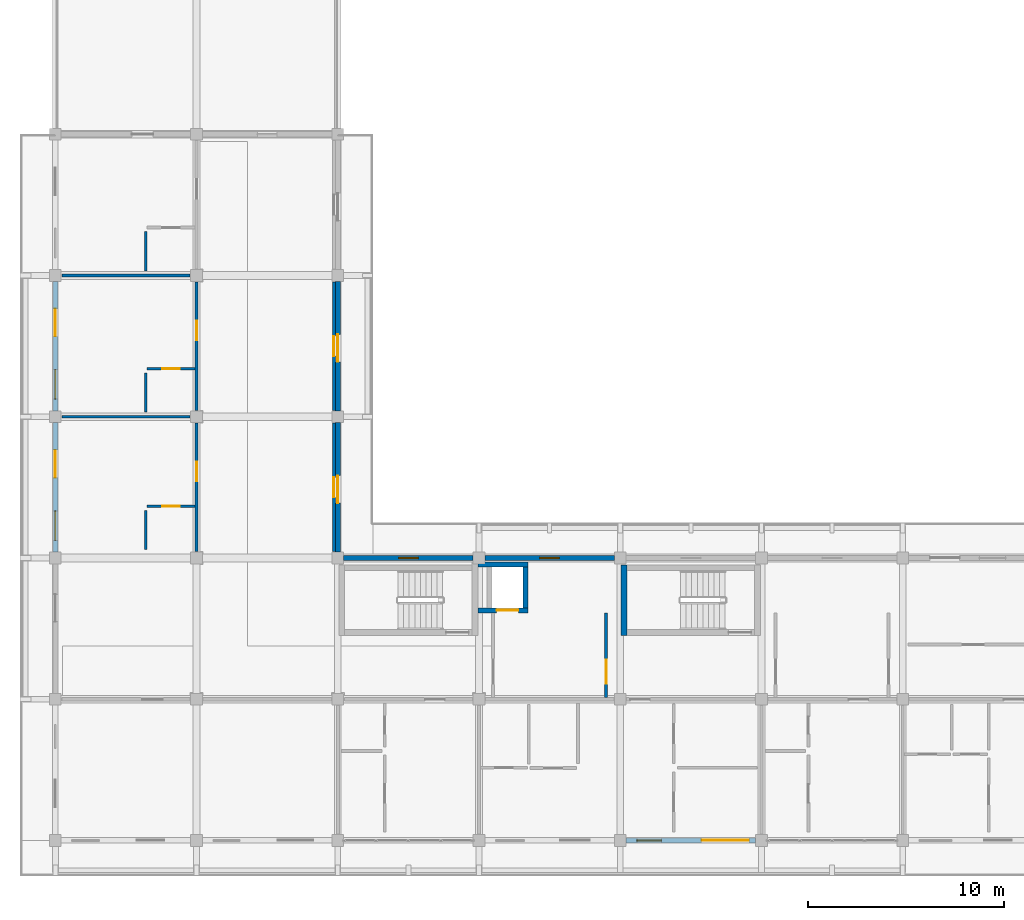
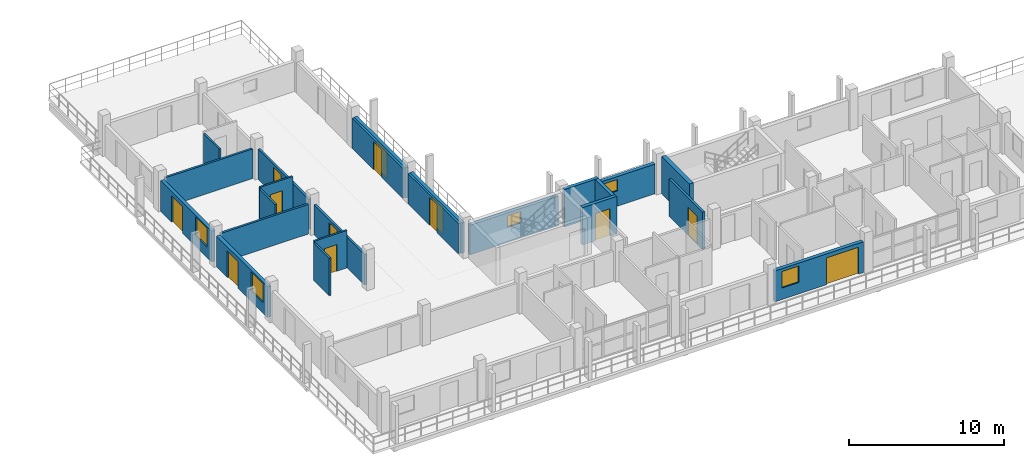
# One storey, part 41 of 78: 23 walls, 13 doors, 5 windows, 18 openings.
"""IFC4 building model written with IfcOpenShell, lengths in metres."""

from ifc_helpers import new_model, si_unit, direction, frame, frame_2d, origin, place, context, subcontext, project, spatial, rectangle, extrude, material, layer, layer_set, type_object, element, fill, save


model = new_model("IFC4")

# Units and contexts
model_context = context("Model", 3, precision=1e-05, world=origin(), true_north=direction((0.0, 1.0)))
body_context = subcontext(model_context, "Body", "Model", "MODEL_VIEW")
ifc_project = project(units=[si_unit("LENGTHUNIT", "METRE"), si_unit("AREAUNIT", "SQUARE_METRE"), si_unit("VOLUMEUNIT", "CUBIC_METRE"), si_unit("PLANEANGLEUNIT", "RADIAN"), si_unit("MASSUNIT", "GRAM", prefix="KILO")], contexts=[model_context])

# Site, building, storey
site_placement = place(None, origin())
site = spatial("IfcSite", under=ifc_project, at=site_placement, CompositionType="ELEMENT")
building_placement = place(site_placement, origin())
building = spatial("IfcBuilding", under=site, at=building_placement, Name="Suanplinth Sawtooth Commons", CompositionType="ELEMENT")
storey_placement = place(building_placement, frame((0.0, 0.0, 15.39990234375)))
storey = spatial("IfcBuildingStorey", under=building, at=storey_placement, Name="L04", CompositionType="ELEMENT", Elevation=15.39990234375)

# Wall
ifc_material_1 = material(Name="Concrete C40/50", Category="concrete")
ifc_layer_1 = layer(ifc_material_1, 0.300048828125, Name="Standard RC stair and lift core wall 300mm")
ifc_layer_set_1 = layer_set([ifc_layer_1], Name="Concrete C40/50")
wall_type_1 = type_object("IfcWallType", Name="W-CR02", PredefinedType="SHEAR", material=ifc_layer_set_1)
wall_1_placement = place(storey_placement, frame((29.0, 10.449951171875, 0.0), z_axis=(0.0, 0.0, 1.0), x_axis=(0.0, 1.0, 0.0)))
element("IfcWall", 1, at=wall_1_placement, inside=storey, type_object=wall_type_1, Name="W-L04-C-D2-STW", PredefinedType="SHEAR", context=body_context, shape_type="SweptSolid", body=[
    extrude(rectangle(XDim=3.60009765625, YDim=0.300048828125, at=frame_2d((1.800048828125, 0.0))), origin(), (0.0, 0.0, 1.0), 2.9501953125),
])

# Wall, openings, door, window
ifc_material_2 = material(Name="Precast concrete C40/50", Category="concrete")
ifc_layer_2 = layer(ifc_material_2, 0.260009765625, Name="Insulated precast courtyard facade wall 260mm")
ifc_layer_set_2 = layer_set([ifc_layer_2], Name="Precast concrete C40/50")
wall_type_2 = type_object("IfcWallType", Name="W-EX02", PredefinedType="ELEMENTEDWALL", material=ifc_layer_set_2)
wall_2_placement = place(storey_placement, frame((0.0, 14.699951171875, 0.0), z_axis=(0.0, 0.0, 1.0), x_axis=(0.0, 1.0, 0.0)))
wall_2 = element("IfcWall", 2, at=wall_2_placement, inside=storey, type_object=wall_type_2, Name="Facade Wall W-L04-D-W-0-2", PredefinedType="ELEMENTEDWALL", context=body_context, shape_type="SweptSolid", body=[
    extrude(rectangle(XDim=6.60009765625, YDim=0.260009765625, at=frame_2d((3.300048828125, 0.0))), origin(), (0.0, 0.0, 1.0), 2.43017578125),
])
opening_1_placement = place(wall_2_placement, frame((3.800048828125, 0.0, 0.0)))
opening_1 = element("IfcOpeningElement", 3, at=opening_1_placement, cuts=wall_2, Name="Opening ED0382", PredefinedType="OPENING", context=body_context, shape_type="SweptSolid", body=[
    extrude(rectangle(XDim=1.39990234375, YDim=2.10009765625, at=frame_2d((0.699951171875, 1.050048828125))), frame((0.0, 0.14501953125, 0.0), z_axis=(0.0, -1.0, 0.0), x_axis=(1.0, 0.0, 0.0)), (0.0, 0.0, 1.0), 0.289794921875),
])
opening_2_placement = place(wall_2_placement, frame((0.60009765625, 0.0, 0.81005859375)))
opening_2 = element("IfcOpeningElement", 4, at=opening_2_placement, cuts=wall_2, Name="Opening W0478", PredefinedType="OPENING", context=body_context, shape_type="SweptSolid", body=[
    extrude(rectangle(XDim=1.5, YDim=1.5, at=frame_2d((0.75, 0.75))), frame((0.0, 0.14501953125, 0.0), z_axis=(0.0, -1.0, 0.0), x_axis=(1.0, 0.0, 0.0)), (0.0, 0.0, 1.0), 0.289794921875),
])
ifc_material_3 = material(Name="Anodized aluminium and low-E glass", Category="aluminium")
door_type_1 = type_object("IfcDoorType", Name="SD-07", OperationType="SLIDING_TO_RIGHT", PredefinedType="DOOR", material=ifc_material_3)
door_1_placement = place(opening_1_placement, frame((1.39990234375, 0.0, 0.0), z_axis=(0.0, 0.0, 1.0), x_axis=(-1.0, 0.0, 0.0)))
door_1 = element("IfcDoor", 5, at=door_1_placement, inside=storey, type_object=door_type_1, Name="Wing Balcony Sliding Door L04-D-2", OperationType="SLIDING_TO_RIGHT", OverallHeight=2.10009765625, OverallWidth=1.39990234375, PredefinedType="DOOR", context=body_context, shape_type="SweptSolid", body=[
    extrude(rectangle(XDim=1.39990234375, YDim=2.10009765625, at=frame_2d((0.699951171875, 1.050048828125))), frame((0.0, 0.02490234375, 0.0), z_axis=(0.0, -1.0, 0.0), x_axis=(1.0, 0.0, 0.0)), (0.0, 0.0, 1.0), 0.050048828125),
])
fill(opening_1, door_1)
ifc_material_4 = material(Name="Thermally broken aluminium and low-E double glazing", Category="aluminium")
window_type_1 = type_object("IfcWindowType", Name="WN-02", PartitioningType="DOUBLE_PANEL_VERTICAL", PredefinedType="WINDOW", material=ifc_material_4)
window_1_placement = place(opening_2_placement, origin())
window_1 = element("IfcWindow", 6, at=window_1_placement, inside=storey, type_object=window_type_1, Name="Wing Window L04-D-2", OverallHeight=1.5, OverallWidth=1.5, PartitioningType="DOUBLE_PANEL_VERTICAL", PredefinedType="WINDOW", context=body_context, shape_type="SweptSolid", body=[
    extrude(rectangle(XDim=1.5, YDim=1.5, at=frame_2d((0.75, 0.75))), frame((0.0, 0.030029296875, 0.0), z_axis=(0.0, -1.0, 0.0), x_axis=(1.0, 0.0, 0.0)), (0.0, 0.0, 1.0), 0.06005859375),
])
fill(opening_2, window_1)

wall_3_placement = place(storey_placement, frame((0.0, 21.89990234375, 0.0), z_axis=(0.0, 0.0, 1.0), x_axis=(0.0, 1.0, 0.0)))
wall_3 = element("IfcWall", 7, at=wall_3_placement, inside=storey, type_object=wall_type_2, Name="Facade Wall W-L04-D-W-0-3", PredefinedType="ELEMENTEDWALL", context=body_context, shape_type="SweptSolid", body=[
    extrude(rectangle(XDim=6.60009765625, YDim=0.260009765625, at=frame_2d((3.300048828125, 0.0))), origin(), (0.0, 0.0, 1.0), 2.43017578125),
])
opening_3_placement = place(wall_3_placement, frame((3.800048828125, 0.0, 0.0)))
opening_3 = element("IfcOpeningElement", 8, at=opening_3_placement, cuts=wall_3, Name="Opening ED0383", PredefinedType="OPENING", context=body_context, shape_type="SweptSolid", body=[
    extrude(rectangle(XDim=1.39990234375, YDim=2.10009765625, at=frame_2d((0.699951171875, 1.050048828125))), frame((0.0, 0.14501953125, 0.0), z_axis=(0.0, -1.0, 0.0), x_axis=(1.0, 0.0, 0.0)), (0.0, 0.0, 1.0), 0.289794921875),
])
opening_4_placement = place(wall_3_placement, frame((0.60009765625, 0.0, 0.81005859375)))
opening_4 = element("IfcOpeningElement", 9, at=opening_4_placement, cuts=wall_3, Name="Opening W0479", PredefinedType="OPENING", context=body_context, shape_type="SweptSolid", body=[
    extrude(rectangle(XDim=1.5, YDim=1.5, at=frame_2d((0.75, 0.75))), frame((0.0, 0.14501953125, 0.0), z_axis=(0.0, -1.0, 0.0), x_axis=(1.0, 0.0, 0.0)), (0.0, 0.0, 1.0), 0.289794921875),
])
door_2_placement = place(opening_3_placement, frame((1.39990234375, 0.0, 0.0), z_axis=(0.0, 0.0, 1.0), x_axis=(-1.0, 0.0, 0.0)))
door_2 = element("IfcDoor", 10, at=door_2_placement, inside=storey, type_object=door_type_1, Name="Wing Balcony Sliding Door L04-D-3", OperationType="SLIDING_TO_RIGHT", OverallHeight=2.10009765625, OverallWidth=1.39990234375, PredefinedType="DOOR", context=body_context, shape_type="SweptSolid", body=[
    extrude(rectangle(XDim=1.39990234375, YDim=2.10009765625, at=frame_2d((0.699951171875, 1.050048828125))), frame((0.0, 0.02490234375, 0.0), z_axis=(0.0, -1.0, 0.0), x_axis=(1.0, 0.0, 0.0)), (0.0, 0.0, 1.0), 0.050048828125),
])
fill(opening_3, door_2)
window_2_placement = place(opening_4_placement, origin())
window_2 = element("IfcWindow", 11, at=window_2_placement, inside=storey, type_object=window_type_1, Name="Wing Window L04-D-3", OverallHeight=1.5, OverallWidth=1.5, PartitioningType="DOUBLE_PANEL_VERTICAL", PredefinedType="WINDOW", context=body_context, shape_type="SweptSolid", body=[
    extrude(rectangle(XDim=1.5, YDim=1.5, at=frame_2d((0.75, 0.75))), frame((0.0, 0.030029296875, 0.0), z_axis=(0.0, -1.0, 0.0), x_axis=(1.0, 0.0, 0.0)), (0.0, 0.0, 1.0), 0.06005859375),
])
fill(opening_4, window_2)

# Wall, opening, door
wall_4_placement = place(storey_placement, frame((14.39990234375, 14.699951171875, 0.0), z_axis=(0.0, 0.0, 1.0), x_axis=(0.0, 1.0, 0.0)))
wall_4 = element("IfcWall", 12, at=wall_4_placement, inside=storey, type_object=wall_type_2, Name="Facade Wall W-L04-D-E-1-2", PredefinedType="ELEMENTEDWALL", context=body_context, shape_type="SweptSolid", body=[
    extrude(rectangle(XDim=6.60009765625, YDim=0.260009765625, at=frame_2d((3.300048828125, 0.0))), origin(), (0.0, 0.0, 1.0), 2.385009765625),
])
opening_5_placement = place(wall_4_placement, frame((2.5, 0.0, 0.0)))
opening_5 = element("IfcOpeningElement", 13, at=opening_5_placement, cuts=wall_4, Name="Opening ED0387", PredefinedType="OPENING", context=body_context, shape_type="SweptSolid", body=[
    extrude(rectangle(XDim=1.39990234375, YDim=2.10009765625, at=frame_2d((0.699951171875, 1.050048828125))), frame((0.0, 0.14501953125, 0.0), z_axis=(0.0, -1.0, 0.0), x_axis=(1.0, 0.0, 0.0)), (0.0, 0.0, 1.0), 0.289794921875),
])
door_3_placement = place(opening_5_placement, frame((1.39990234375, 0.0, 0.0), z_axis=(0.0, 0.0, 1.0), x_axis=(-1.0, 0.0, 0.0)))
door_3 = element("IfcDoor", 14, at=door_3_placement, inside=storey, type_object=door_type_1, Name="Courtyard Veranda Studio Balcony Door L04-D-2", OperationType="SLIDING_TO_RIGHT", OverallHeight=2.10009765625, OverallWidth=1.39990234375, PredefinedType="DOOR", context=body_context, shape_type="SweptSolid", body=[
    extrude(rectangle(XDim=1.39990234375, YDim=2.10009765625, at=frame_2d((0.699951171875, 1.050048828125))), frame((0.0, 0.02490234375, 0.0), z_axis=(0.0, -1.0, 0.0), x_axis=(1.0, 0.0, 0.0)), (0.0, 0.0, 1.0), 0.050048828125),
])
fill(opening_5, door_3)

wall_5_placement = place(storey_placement, frame((14.39990234375, 21.89990234375, 0.0), z_axis=(0.0, 0.0, 1.0), x_axis=(0.0, 1.0, 0.0)))
wall_5 = element("IfcWall", 15, at=wall_5_placement, inside=storey, type_object=wall_type_2, Name="Facade Wall W-L04-D-E-1-3", PredefinedType="ELEMENTEDWALL", context=body_context, shape_type="SweptSolid", body=[
    extrude(rectangle(XDim=6.60009765625, YDim=0.260009765625, at=frame_2d((3.300048828125, 0.0))), origin(), (0.0, 0.0, 1.0), 2.385009765625),
])
opening_6_placement = place(wall_5_placement, frame((2.5, 0.0, 0.0)))
opening_6 = element("IfcOpeningElement", 16, at=opening_6_placement, cuts=wall_5, Name="Opening ED0388", PredefinedType="OPENING", context=body_context, shape_type="SweptSolid", body=[
    extrude(rectangle(XDim=1.39990234375, YDim=2.10009765625, at=frame_2d((0.699951171875, 1.050048828125))), frame((0.0, 0.14501953125, 0.0), z_axis=(0.0, -1.0, 0.0), x_axis=(1.0, 0.0, 0.0)), (0.0, 0.0, 1.0), 0.289794921875),
])
door_4_placement = place(opening_6_placement, frame((1.39990234375, 0.0, 0.0), z_axis=(0.0, 0.0, 1.0), x_axis=(-1.0, 0.0, 0.0)))
door_4 = element("IfcDoor", 17, at=door_4_placement, inside=storey, type_object=door_type_1, Name="Courtyard Veranda Studio Balcony Door L04-D-3", OperationType="SLIDING_TO_RIGHT", OverallHeight=2.10009765625, OverallWidth=1.39990234375, PredefinedType="DOOR", context=body_context, shape_type="SweptSolid", body=[
    extrude(rectangle(XDim=1.39990234375, YDim=2.10009765625, at=frame_2d((0.699951171875, 1.050048828125))), frame((0.0, 0.02490234375, 0.0), z_axis=(0.0, -1.0, 0.0), x_axis=(1.0, 0.0, 0.0)), (0.0, 0.0, 1.0), 0.050048828125),
])
fill(opening_6, door_4)

# Wall, opening, window
wall_6_placement = place(storey_placement, frame((14.699951171875, 14.39990234375, 0.0), z_axis=(0.0, 0.0, 1.0), x_axis=(1.0, 0.0, 0.0)))
wall_6 = element("IfcWall", 18, at=wall_6_placement, inside=storey, type_object=wall_type_2, Name="Facade Wall W-L04-D-N-2-1", PredefinedType="ELEMENTEDWALL", context=body_context, shape_type="SweptSolid", body=[
    extrude(rectangle(XDim=6.60009765625, YDim=0.260009765625, at=frame_2d((3.300048828125, 0.0))), origin(), (0.0, 0.0, 1.0), 2.335205078125),
])
opening_7_placement = place(wall_6_placement, frame((2.800048828125, 0.0, 1.199951171875)))
opening_7 = element("IfcOpeningElement", 19, at=opening_7_placement, cuts=wall_6, Name="Opening W0483", PredefinedType="OPENING", context=body_context, shape_type="SweptSolid", body=[
    extrude(rectangle(XDim=1.0, YDim=0.89990234375, at=frame_2d((0.5, 0.449951171875))), frame((0.0, 0.14501953125, 0.0), z_axis=(0.0, -1.0, 0.0), x_axis=(1.0, 0.0, 0.0)), (0.0, 0.0, 1.0), 0.289794921875),
])
window_type_2 = type_object("IfcWindowType", Name="WN-12", PartitioningType="SINGLE_PANEL", PredefinedType="WINDOW", material=ifc_material_4)
window_3_placement = place(opening_7_placement, origin())
window_3 = element("IfcWindow", 20, at=window_3_placement, inside=storey, type_object=window_type_2, Name="Core Daylight Window L04-D-2-1", OverallHeight=0.89990234375, OverallWidth=1.0, PartitioningType="SINGLE_PANEL", PredefinedType="WINDOW", context=body_context, shape_type="SweptSolid", body=[
    extrude(rectangle(XDim=1.0, YDim=0.89990234375, at=frame_2d((0.5, 0.449951171875))), frame((0.0, 0.030029296875, 0.0), z_axis=(0.0, -1.0, 0.0), x_axis=(1.0, 0.0, 0.0)), (0.0, 0.0, 1.0), 0.06005859375),
])
fill(opening_7, window_3)

wall_7_placement = place(storey_placement, frame((21.89990234375, 14.39990234375, 0.0), z_axis=(0.0, 0.0, 1.0), x_axis=(1.0, 0.0, 0.0)))
wall_7 = element("IfcWall", 21, at=wall_7_placement, inside=storey, type_object=wall_type_2, Name="Facade Wall W-L04-D-N-3-1", PredefinedType="ELEMENTEDWALL", context=body_context, shape_type="SweptSolid", body=[
    extrude(rectangle(XDim=6.60009765625, YDim=0.260009765625, at=frame_2d((3.300048828125, 0.0))), origin(), (0.0, 0.0, 1.0), 2.335205078125),
])
opening_8_placement = place(wall_7_placement, frame((2.800048828125, 0.0, 1.199951171875)))
opening_8 = element("IfcOpeningElement", 22, at=opening_8_placement, cuts=wall_7, Name="Opening W0485", PredefinedType="OPENING", context=body_context, shape_type="SweptSolid", body=[
    extrude(rectangle(XDim=1.0, YDim=0.89990234375, at=frame_2d((0.5, 0.449951171875))), frame((0.0, 0.14501953125, 0.0), z_axis=(0.0, -1.0, 0.0), x_axis=(1.0, 0.0, 0.0)), (0.0, 0.0, 1.0), 0.289794921875),
])
window_4_placement = place(opening_8_placement, origin())
window_4 = element("IfcWindow", 23, at=window_4_placement, inside=storey, type_object=window_type_2, Name="Core Daylight Window L04-D-3-1", OverallHeight=0.89990234375, OverallWidth=1.0, PartitioningType="SINGLE_PANEL", PredefinedType="WINDOW", context=body_context, shape_type="SweptSolid", body=[
    extrude(rectangle(XDim=1.0, YDim=0.89990234375, at=frame_2d((0.5, 0.449951171875))), frame((0.0, 0.030029296875, 0.0), z_axis=(0.0, -1.0, 0.0), x_axis=(1.0, 0.0, 0.0)), (0.0, 0.0, 1.0), 0.06005859375),
])
fill(opening_8, window_4)

# Wall, openings, door, window
wall_8_placement = place(storey_placement, frame((29.10009765625, 0.0, 0.0), z_axis=(0.0, 0.0, 1.0), x_axis=(1.0, 0.0, 0.0)))
wall_8 = element("IfcWall", 24, at=wall_8_placement, inside=storey, type_object=wall_type_2, Name="Facade Wall W-L04-D-S-4-0", PredefinedType="ELEMENTEDWALL", context=body_context, shape_type="SweptSolid", body=[
    extrude(rectangle(XDim=6.599853515625, YDim=0.260009765625, at=frame_2d((3.2998046875, 0.0))), origin(), (0.0, 0.0, 1.0), 2.43017578125),
])
opening_9_placement = place(wall_8_placement, frame((3.85009765625, 0.0, 0.0)))
opening_9 = element("IfcOpeningElement", 25, at=opening_9_placement, cuts=wall_8, Name="Opening ED0391", PredefinedType="OPENING", context=body_context, shape_type="SweptSolid", body=[
    extrude(rectangle(XDim=2.39990234375, YDim=2.1201171875, at=frame_2d((1.199951171875, 1.06005859375))), frame((0.0, 0.14501953125, 0.0), z_axis=(0.0, -1.0, 0.0), x_axis=(1.0, 0.0, 0.0)), (0.0, 0.0, 1.0), 0.289794921875),
])
opening_10_placement = place(wall_8_placement, frame((0.550048828125, 0.0, 0.89990234375)))
opening_10 = element("IfcOpeningElement", 26, at=opening_10_placement, cuts=wall_8, Name="Opening W0486", PredefinedType="OPENING", context=body_context, shape_type="SweptSolid", body=[
    extrude(rectangle(XDim=1.25, YDim=1.300048828125, at=frame_2d((0.625, 0.64990234375))), frame((0.0, 0.14501953125, 0.0), z_axis=(0.0, -1.0, 0.0), x_axis=(1.0, 0.0, 0.0)), (0.0, 0.0, 1.0), 0.289794921875),
])
door_type_2 = type_object("IfcDoorType", Name="SD-04", OperationType="DOUBLE_DOOR_SLIDING", PredefinedType="DOOR", material=ifc_material_3)
door_5_placement = place(opening_9_placement, frame((2.39990234375, 0.0, 0.0), z_axis=(0.0, 0.0, 1.0), x_axis=(-1.0, 0.0, 0.0)))
door_5 = element("IfcDoor", 27, at=door_5_placement, inside=storey, type_object=door_type_2, Name="Balcony Sliding Door L04-D-4", OperationType="DOUBLE_DOOR_SLIDING", OverallHeight=2.1201171875, OverallWidth=2.39990234375, PredefinedType="DOOR", context=body_context, shape_type="SweptSolid", body=[
    extrude(rectangle(XDim=2.39990234375, YDim=2.1201171875, at=frame_2d((1.199951171875, 1.06005859375))), frame((0.0, 0.02490234375, 0.0), z_axis=(0.0, -1.0, 0.0), x_axis=(1.0, 0.0, 0.0)), (0.0, 0.0, 1.0), 0.050048828125),
])
fill(opening_9, door_5)
window_type_3 = type_object("IfcWindowType", Name="WN-17", PartitioningType="SINGLE_PANEL", PredefinedType="WINDOW", material=ifc_material_4)
window_5_placement = place(opening_10_placement, origin())
window_5 = element("IfcWindow", 28, at=window_5_placement, inside=storey, type_object=window_type_3, Name="Apartment Window L04-D-4", OverallHeight=1.300048828125, OverallWidth=1.25, PartitioningType="SINGLE_PANEL", PredefinedType="WINDOW", context=body_context, shape_type="SweptSolid", body=[
    extrude(rectangle(XDim=1.25, YDim=1.300048828125, at=frame_2d((0.625, 0.64990234375))), frame((0.0, 0.030029296875, 0.0), z_axis=(0.0, -1.0, 0.0), x_axis=(1.0, 0.0, 0.0)), (0.0, 0.0, 1.0), 0.06005859375),
])
fill(opening_10, window_5)

# Wall, opening, door
ifc_layer_3 = layer(ifc_material_2, 0.159912109375, Name="Fire-rated corridor and lobby wall 160mm")
ifc_layer_set_3 = layer_set([ifc_layer_3], Name="Precast concrete C40/50")
wall_type_3 = type_object("IfcWallType", Name="W-FW01", PredefinedType="PARTITIONING", material=ifc_layer_set_3)
wall_9_placement = place(storey_placement, frame((28.080078125, 7.280029296875, 0.0), z_axis=(0.0, 0.0, 1.0), x_axis=(0.0, 1.0, 0.0)))
wall_9 = element("IfcWall", 29, at=wall_9_placement, inside=storey, type_object=wall_type_3, Name="W-L04-C-D1-LOB-E", PredefinedType="PARTITIONING", context=body_context, shape_type="SweptSolid", body=[
    extrude(rectangle(XDim=4.320068359375, YDim=0.159912109375, at=frame_2d((2.16015625, 0.0))), origin(), (0.0, 0.0, 1.0), 2.9501953125),
])
opening_11_placement = place(wall_9_placement, frame((0.719970703125, 0.0, 0.0)))
opening_11 = element("IfcOpeningElement", 30, at=opening_11_placement, cuts=wall_9, Name="Opening FD0379", PredefinedType="OPENING", context=body_context, shape_type="SweptSolid", body=[
    extrude(rectangle(XDim=1.199951171875, YDim=2.199951171875, at=frame_2d((0.60009765625, 1.10009765625))), frame((0.0, 0.0947265625, 0.0), z_axis=(0.0, -1.0, 0.0), x_axis=(1.0, 0.0, 0.0)), (0.0, 0.0, 1.0), 0.189697265625),
])
ifc_material_5 = material(Name="Teak hardwood fire-rated door assembly", Category="wood")
door_type_3 = type_object("IfcDoorType", Name="FD-02", OperationType="NOTDEFINED", PredefinedType="DOOR", material=ifc_material_5)
door_6_placement = place(opening_11_placement, frame((1.199951171875, 0.0, 0.0), z_axis=(0.0, 0.0, 1.0), x_axis=(-1.0, 0.0, 0.0)))
door_6 = element("IfcDoor", 31, at=door_6_placement, inside=storey, type_object=door_type_3, Name="Lobby Fire Door FD0379", OperationType="SINGLE_SWING_LEFT", OverallHeight=2.199951171875, OverallWidth=1.199951171875, PredefinedType="DOOR", context=body_context, shape_type="SweptSolid", body=[
    extrude(rectangle(XDim=1.199951171875, YDim=2.199951171875, at=frame_2d((0.60009765625, 1.10009765625))), frame((0.0, 0.02490234375, 0.0), z_axis=(0.0, -1.0, 0.0), x_axis=(1.0, 0.0, 0.0)), (0.0, 0.0, 1.0), 0.050048828125),
])
fill(opening_11, door_6)

wall_10_placement = place(storey_placement, frame((7.199951171875, 14.72998046875, 0.0), z_axis=(0.0, 0.0, 1.0), x_axis=(0.0, 1.0, 0.0)))
wall_10 = element("IfcWall", 32, at=wall_10_placement, inside=storey, type_object=wall_type_3, Name="W-D-L04-L01-COR", PredefinedType="PARTITIONING", context=body_context, shape_type="SweptSolid", body=[
    extrude(rectangle(XDim=6.5400390625, YDim=0.159912109375, at=frame_2d((3.27001953125, 0.0))), origin(), (0.0, 0.0, 1.0), 2.385009765625),
])
opening_12_placement = place(wall_10_placement, frame((3.570068359375, 0.0, 0.0)))
opening_12 = element("IfcOpeningElement", 33, at=opening_12_placement, cuts=wall_10, Name="Opening FD1188", PredefinedType="OPENING", context=body_context, shape_type="SweptSolid", body=[
    extrude(rectangle(XDim=1.0, YDim=2.14990234375, at=frame_2d((0.5, 1.074951171875))), frame((0.0, 0.0947265625, 0.0), z_axis=(0.0, -1.0, 0.0), x_axis=(1.0, 0.0, 0.0)), (0.0, 0.0, 1.0), 0.189697265625),
])
door_type_4 = type_object("IfcDoorType", Name="FD-03", OperationType="NOTDEFINED", PredefinedType="DOOR", material=ifc_material_5)
door_7_placement = place(opening_12_placement, origin())
door_7 = element("IfcDoor", 34, at=door_7_placement, inside=storey, type_object=door_type_4, Name="Wing Unit Entrance Door FD1188", OperationType="SINGLE_SWING_RIGHT", OverallHeight=2.14990234375, OverallWidth=1.0, PredefinedType="DOOR", context=body_context, shape_type="SweptSolid", body=[
    extrude(rectangle(XDim=1.0, YDim=2.14990234375, at=frame_2d((0.5, 1.074951171875))), frame((0.0, 0.02490234375, 0.0), z_axis=(0.0, -1.0, 0.0), x_axis=(1.0, 0.0, 0.0)), (0.0, 0.0, 1.0), 0.050048828125),
])
fill(opening_12, door_7)

wall_11_placement = place(storey_placement, frame((14.199951171875, 14.72998046875, 0.0), z_axis=(0.0, 0.0, 1.0), x_axis=(0.0, 1.0, 0.0)))
wall_11 = element("IfcWall", 35, at=wall_11_placement, inside=storey, type_object=wall_type_3, Name="W-D-L04-LEGCOURTROOM-66-COR", PredefinedType="PARTITIONING", context=body_context, shape_type="SweptSolid", body=[
    extrude(rectangle(XDim=6.5400390625, YDim=0.159912109375, at=frame_2d((3.27001953125, 0.0))), origin(), (0.0, 0.0, 1.0), 2.385009765625),
])
opening_13_placement = place(wall_11_placement, frame((2.760009765625, 0.0, 0.0)))
opening_13 = element("IfcOpeningElement", 36, at=opening_13_placement, cuts=wall_11, Name="Opening D1190", PredefinedType="OPENING", context=body_context, shape_type="SweptSolid", body=[
    extrude(rectangle(XDim=1.02001953125, YDim=2.179931640625, at=frame_2d((0.510009765625, 1.08984375))), frame((0.0, 0.0947265625, 0.0), z_axis=(0.0, -1.0, 0.0), x_axis=(1.0, 0.0, 0.0)), (0.0, 0.0, 1.0), 0.189697265625),
])
ifc_material_6 = material(Name="Teak hardwood", Category="wood")
door_type_5 = type_object("IfcDoorType", Name="D-16", OperationType="NOTDEFINED", PredefinedType="DOOR", material=ifc_material_6)
door_8_placement = place(opening_13_placement, frame((1.02001953125, 0.0, 0.0), z_axis=(0.0, 0.0, 1.0), x_axis=(-1.0, 0.0, 0.0)))
door_8 = element("IfcDoor", 37, at=door_8_placement, inside=storey, type_object=door_type_5, Name="Veranda Studio Door D1190", OperationType="SINGLE_SWING_RIGHT", OverallHeight=2.179931640625, OverallWidth=1.02001953125, PredefinedType="DOOR", context=body_context, shape_type="SweptSolid", body=[
    extrude(rectangle(XDim=1.02001953125, YDim=2.179931640625, at=frame_2d((0.510009765625, 1.08984375))), frame((0.0, 0.02490234375, 0.0), z_axis=(0.0, -1.0, 0.0), x_axis=(1.0, 0.0, 0.0)), (0.0, 0.0, 1.0), 0.050048828125),
])
fill(opening_13, door_8)

wall_12_placement = place(storey_placement, frame((7.199951171875, 21.929931640625, 0.0), z_axis=(0.0, 0.0, 1.0), x_axis=(0.0, 1.0, 0.0)))
wall_12 = element("IfcWall", 38, at=wall_12_placement, inside=storey, type_object=wall_type_3, Name="W-D-L04-L02-COR", PredefinedType="PARTITIONING", context=body_context, shape_type="SweptSolid", body=[
    extrude(rectangle(XDim=6.5400390625, YDim=0.159912109375, at=frame_2d((3.27001953125, 0.0))), origin(), (0.0, 0.0, 1.0), 2.385009765625),
])
opening_14_placement = place(wall_12_placement, frame((3.570068359375, 0.0, 0.0)))
opening_14 = element("IfcOpeningElement", 39, at=opening_14_placement, cuts=wall_12, Name="Opening FD1191", PredefinedType="OPENING", context=body_context, shape_type="SweptSolid", body=[
    extrude(rectangle(XDim=1.0, YDim=2.14990234375, at=frame_2d((0.5, 1.074951171875))), frame((0.0, 0.0947265625, 0.0), z_axis=(0.0, -1.0, 0.0), x_axis=(1.0, 0.0, 0.0)), (0.0, 0.0, 1.0), 0.189697265625),
])
door_9_placement = place(opening_14_placement, origin())
door_9 = element("IfcDoor", 40, at=door_9_placement, inside=storey, type_object=door_type_4, Name="Wing Unit Entrance Door FD1191", OperationType="SINGLE_SWING_LEFT", OverallHeight=2.14990234375, OverallWidth=1.0, PredefinedType="DOOR", context=body_context, shape_type="SweptSolid", body=[
    extrude(rectangle(XDim=1.0, YDim=2.14990234375, at=frame_2d((0.5, 1.074951171875))), frame((0.0, 0.02490234375, 0.0), z_axis=(0.0, -1.0, 0.0), x_axis=(1.0, 0.0, 0.0)), (0.0, 0.0, 1.0), 0.050048828125),
])
fill(opening_14, door_9)

wall_13_placement = place(storey_placement, frame((14.199951171875, 21.929931640625, 0.0), z_axis=(0.0, 0.0, 1.0), x_axis=(0.0, 1.0, 0.0)))
wall_13 = element("IfcWall", 41, at=wall_13_placement, inside=storey, type_object=wall_type_3, Name="W-D-L04-LEGCOURTROOM-68-COR", PredefinedType="PARTITIONING", context=body_context, shape_type="SweptSolid", body=[
    extrude(rectangle(XDim=6.5400390625, YDim=0.159912109375, at=frame_2d((3.27001953125, 0.0))), origin(), (0.0, 0.0, 1.0), 2.385009765625),
])
opening_15_placement = place(wall_13_placement, frame((2.760009765625, 0.0, 0.0)))
opening_15 = element("IfcOpeningElement", 42, at=opening_15_placement, cuts=wall_13, Name="Opening D1193", PredefinedType="OPENING", context=body_context, shape_type="SweptSolid", body=[
    extrude(rectangle(XDim=1.02001953125, YDim=2.179931640625, at=frame_2d((0.510009765625, 1.08984375))), frame((0.0, 0.0947265625, 0.0), z_axis=(0.0, -1.0, 0.0), x_axis=(1.0, 0.0, 0.0)), (0.0, 0.0, 1.0), 0.189697265625),
])
door_10_placement = place(opening_15_placement, frame((1.02001953125, 0.0, 0.0), z_axis=(0.0, 0.0, 1.0), x_axis=(-1.0, 0.0, 0.0)))
door_10 = element("IfcDoor", 43, at=door_10_placement, inside=storey, type_object=door_type_5, Name="Veranda Studio Door D1193", OperationType="SINGLE_SWING_LEFT", OverallHeight=2.179931640625, OverallWidth=1.02001953125, PredefinedType="DOOR", context=body_context, shape_type="SweptSolid", body=[
    extrude(rectangle(XDim=1.02001953125, YDim=2.179931640625, at=frame_2d((0.510009765625, 1.08984375))), frame((0.0, 0.02490234375, 0.0), z_axis=(0.0, -1.0, 0.0), x_axis=(1.0, 0.0, 0.0)), (0.0, 0.0, 1.0), 0.050048828125),
])
fill(opening_15, door_10)

# Walls
ifc_layer_4 = layer(ifc_material_2, 0.14990234375, Name="Acoustic precast party demising wall 150mm")
ifc_layer_set_4 = layer_set([ifc_layer_4], Name="Precast concrete C40/50")
wall_type_4 = type_object("IfcWallType", Name="W-FW02", PredefinedType="PARTITIONING", material=ifc_layer_set_4)
for number, where, z_axis, x_axis, name in (
    (44, (0.330078125, 21.60009765625, 0.0), (0.0, 0.0, 1.0), (1.0, 0.0, 0.0), "W-D-L04-L01-PTY"),
    (45, (0.330078125, 28.800048828125, 0.0), (0.0, 0.0, 1.0), (1.0, 0.0, 0.0), "W-D-L04-L02-PTY"),
):
    element("IfcWall", number, at=place(storey_placement, frame(where, z_axis=z_axis, x_axis=x_axis)), inside=storey, type_object=wall_type_4, Name=name, PredefinedType="PARTITIONING", context=body_context, shape_type="SweptSolid", body=[
        extrude(rectangle(XDim=6.5400390625, YDim=0.14990234375, at=frame_2d((3.27001953125, 0.0))), origin(), (0.0, 0.0, 1.0), 2.335205078125),
    ])

# Wall, opening, door
ifc_material_7 = material(Name="Gypsum plasterboard on steel stud", Category="steel")
ifc_layer_5 = layer(ifc_material_7, 0.1298828125, Name="Moisture-resistant bathroom partition 130mm")
ifc_layer_set_5 = layer_set([ifc_layer_5], Name="Gypsum plasterboard on steel stud")
wall_type_5 = type_object("IfcWallType", Name="W-PT02", PredefinedType="PARTITIONING", material=ifc_layer_set_5)
wall_14_placement = place(storey_placement, frame((4.669921875, 17.044921875, 0.0), z_axis=(0.0, 0.0, 1.0), x_axis=(1.0, 0.0, 0.0)))
wall_14 = element("IfcWall", 46, at=wall_14_placement, inside=storey, type_object=wall_type_5, Name="W-D-L04-L01-BTH1", PredefinedType="PARTITIONING", context=body_context, shape_type="SweptSolid", body=[
    extrude(rectangle(XDim=2.4501953125, YDim=0.1298828125, at=frame_2d((1.22509765625, 0.0))), origin(), (0.0, 0.0, 1.0), 2.9501953125),
])
opening_16_placement = place(wall_14_placement, frame((0.77490234375, 0.0, 0.0)))
opening_16 = element("IfcOpeningElement", 47, at=opening_16_placement, cuts=wall_14, Name="Opening D1189", PredefinedType="OPENING", context=body_context, shape_type="SweptSolid", body=[
    extrude(rectangle(XDim=0.89990234375, YDim=2.10009765625, at=frame_2d((0.449951171875, 1.050048828125))), frame((0.0, 0.079833984375, 0.0), z_axis=(0.0, -1.0, 0.0), x_axis=(1.0, 0.0, 0.0)), (0.0, 0.0, 1.0), 0.15966796875),
])
door_type_6 = type_object("IfcDoorType", Name="D-01", OperationType="NOTDEFINED", PredefinedType="DOOR", material=ifc_material_6)
door_11_placement = place(opening_16_placement, frame((0.89990234375, 0.0, 0.0), z_axis=(0.0, 0.0, 1.0), x_axis=(-1.0, 0.0, 0.0)))
door_11 = element("IfcDoor", 48, at=door_11_placement, inside=storey, type_object=door_type_6, Name="Bathroom Door D1189", OperationType="SINGLE_SWING_LEFT", OverallHeight=2.10009765625, OverallWidth=0.89990234375, PredefinedType="DOOR", context=body_context, shape_type="SweptSolid", body=[
    extrude(rectangle(XDim=0.89990234375, YDim=2.10009765625, at=frame_2d((0.449951171875, 1.050048828125))), frame((0.0, 0.02490234375, 0.0), z_axis=(0.0, -1.0, 0.0), x_axis=(1.0, 0.0, 0.0)), (0.0, 0.0, 1.0), 0.050048828125),
])
fill(opening_16, door_11)

# Wall
wall_15_placement = place(storey_placement, frame((4.60498046875, 14.830078125, 0.0), z_axis=(0.0, 0.0, 1.0), x_axis=(0.0, 1.0, 0.0)))
element("IfcWall", 49, at=wall_15_placement, inside=storey, type_object=wall_type_5, Name="W-D-L04-L01-BTH2", PredefinedType="PARTITIONING", context=body_context, shape_type="SweptSolid", body=[
    extrude(rectangle(XDim=2.0, YDim=0.1298828125, at=frame_2d((1.0, 0.0))), origin(), (0.0, 0.0, 1.0), 2.9501953125),
])

# Wall, opening, door
wall_16_placement = place(storey_placement, frame((4.669921875, 24.044921875, 0.0), z_axis=(0.0, 0.0, 1.0), x_axis=(1.0, 0.0, 0.0)))
wall_16 = element("IfcWall", 50, at=wall_16_placement, inside=storey, type_object=wall_type_5, Name="W-D-L04-L02-BTH1", PredefinedType="PARTITIONING", context=body_context, shape_type="SweptSolid", body=[
    extrude(rectangle(XDim=2.4501953125, YDim=0.1298828125, at=frame_2d((1.22509765625, 0.0))), origin(), (0.0, 0.0, 1.0), 2.9501953125),
])
opening_17_placement = place(wall_16_placement, frame((0.77490234375, 0.0, 0.0)))
opening_17 = element("IfcOpeningElement", 51, at=opening_17_placement, cuts=wall_16, Name="Opening D1192", PredefinedType="OPENING", context=body_context, shape_type="SweptSolid", body=[
    extrude(rectangle(XDim=0.89990234375, YDim=2.10009765625, at=frame_2d((0.449951171875, 1.050048828125))), frame((0.0, 0.079833984375, 0.0), z_axis=(0.0, -1.0, 0.0), x_axis=(1.0, 0.0, 0.0)), (0.0, 0.0, 1.0), 0.15966796875),
])
door_12_placement = place(opening_17_placement, frame((0.89990234375, 0.0, 0.0), z_axis=(0.0, 0.0, 1.0), x_axis=(-1.0, 0.0, 0.0)))
door_12 = element("IfcDoor", 52, at=door_12_placement, inside=storey, type_object=door_type_6, Name="Bathroom Door D1192", OperationType="SINGLE_SWING_RIGHT", OverallHeight=2.10009765625, OverallWidth=0.89990234375, PredefinedType="DOOR", context=body_context, shape_type="SweptSolid", body=[
    extrude(rectangle(XDim=0.89990234375, YDim=2.10009765625, at=frame_2d((0.449951171875, 1.050048828125))), frame((0.0, 0.02490234375, 0.0), z_axis=(0.0, -1.0, 0.0), x_axis=(1.0, 0.0, 0.0)), (0.0, 0.0, 1.0), 0.050048828125),
])
fill(opening_17, door_12)

# Walls
for number, where, z_axis, x_axis, name in (
    (53, (4.60498046875, 21.830078125, 0.0), (0.0, 0.0, 1.0), (0.0, 1.0, 0.0), "W-D-L04-L02-BTH2"),
    (54, (4.60498046875, 29.030029296875, 0.0), (0.0, 0.0, 1.0), (0.0, 1.0, 0.0), "W-D-L04-L03-BTH2"),
):
    element("IfcWall", number, at=place(storey_placement, frame(where, z_axis=z_axis, x_axis=x_axis)), inside=storey, type_object=wall_type_5, Name=name, PredefinedType="PARTITIONING", context=body_context, shape_type="SweptSolid", body=[
        extrude(rectangle(XDim=2.0, YDim=0.1298828125, at=frame_2d((1.0, 0.0))), origin(), (0.0, 0.0, 1.0), 2.9501953125),
    ])

# Wall, opening, door
ifc_layer_6 = layer(ifc_material_2, 0.25, Name="Precast structural shear wall 250mm")
ifc_layer_set_6 = layer_set([ifc_layer_6], Name="Precast concrete C40/50")
wall_type_6 = type_object("IfcWallType", Name="W-SH01", PredefinedType="SHEAR", material=ifc_layer_set_6)
wall_17_placement = place(storey_placement, frame((21.550048828125, 11.72509765625, 0.0), z_axis=(0.0, 0.0, 1.0), x_axis=(1.0, 0.0, 0.0)))
wall_17 = element("IfcWall", 55, at=wall_17_placement, inside=storey, type_object=wall_type_6, Name="W-L04-LF6-S", PredefinedType="SHEAR", context=body_context, shape_type="SweptSolid", body=[
    extrude(rectangle(XDim=2.550048828125, YDim=0.25, at=frame_2d((1.27490234375, 0.0))), origin(), (0.0, 0.0, 1.0), 2.9501953125),
])
opening_18_placement = place(wall_17_placement, frame((0.949951171875, 0.0, 0.0)))
opening_18 = element("IfcOpeningElement", 56, at=opening_18_placement, cuts=wall_17, Name="Opening LD0380", PredefinedType="OPENING", context=body_context, shape_type="SweptSolid", body=[
    extrude(rectangle(XDim=1.10009765625, YDim=2.14990234375, at=frame_2d((0.550048828125, 1.074951171875))), frame((0.0, 0.139892578125, 0.0), z_axis=(0.0, -1.0, 0.0), x_axis=(1.0, 0.0, 0.0)), (0.0, 0.0, 1.0), 0.27978515625),
])
ifc_material_8 = material(Name="Stainless steel Grade 304", Category="steel")
door_type_7 = type_object("IfcDoorType", Name="LD-01", OperationType="SLIDING_TO_LEFT", PredefinedType="DOOR", material=ifc_material_8)
door_13_placement = place(opening_18_placement, frame((1.10009765625, 0.0, 0.0), z_axis=(0.0, 0.0, 1.0), x_axis=(-1.0, 0.0, 0.0)))
door_13 = element("IfcDoor", 57, at=door_13_placement, inside=storey, type_object=door_type_7, Name="Lift Landing Sliding Door LF6 L04", OperationType="SLIDING_TO_LEFT", OverallHeight=2.14990234375, OverallWidth=1.10009765625, PredefinedType="DOOR", context=body_context, shape_type="SweptSolid", body=[
    extrude(rectangle(XDim=1.10009765625, YDim=2.14990234375, at=frame_2d((0.550048828125, 1.074951171875))), frame((0.0, 0.02490234375, 0.0), z_axis=(0.0, -1.0, 0.0), x_axis=(1.0, 0.0, 0.0)), (0.0, 0.0, 1.0), 0.050048828125),
])
fill(opening_18, door_13)

# Walls
wall_18_placement = place(storey_placement, frame((21.550048828125, 14.074951171875, 0.0), z_axis=(0.0, 0.0, 1.0), x_axis=(1.0, 0.0, 0.0)))
element("IfcWall", 58, at=wall_18_placement, inside=storey, type_object=wall_type_6, Name="W-L04-LF6-N", PredefinedType="SHEAR", context=body_context, shape_type="SweptSolid", body=[
    extrude(rectangle(XDim=2.550048828125, YDim=0.25, at=frame_2d((1.27490234375, 0.0))), origin(), (0.0, 0.0, 1.0), 2.9501953125),
])
wall_19_placement = place(storey_placement, frame((23.97509765625, 11.85009765625, 0.0), z_axis=(0.0, 0.0, 1.0), x_axis=(0.0, 1.0, 0.0)))
element("IfcWall", 59, at=wall_19_placement, inside=storey, type_object=wall_type_6, Name="W-L04-LF6-E", PredefinedType="SHEAR", context=body_context, shape_type="SweptSolid", body=[
    extrude(rectangle(XDim=2.099853515625, YDim=0.25, at=frame_2d((1.0498046875, 0.0))), origin(), (0.0, 0.0, 1.0), 2.9501953125),
])

save(model, "model.ifc")
